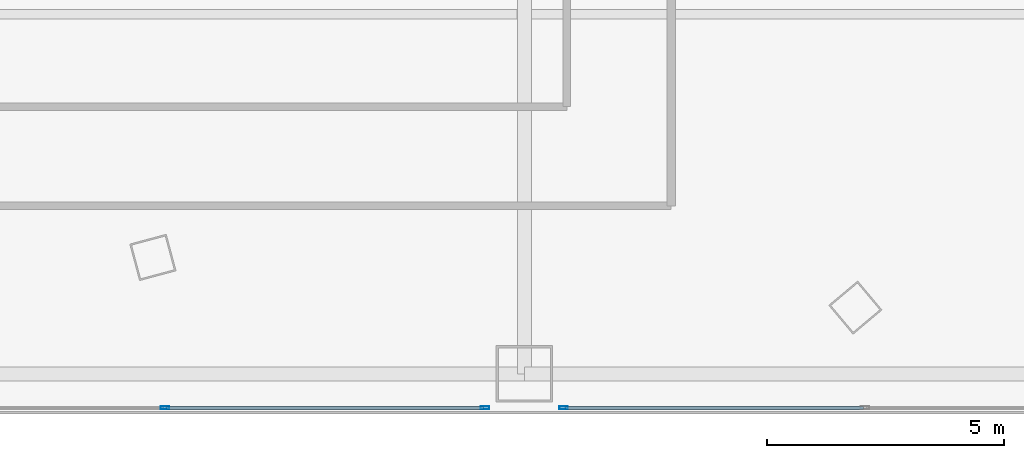
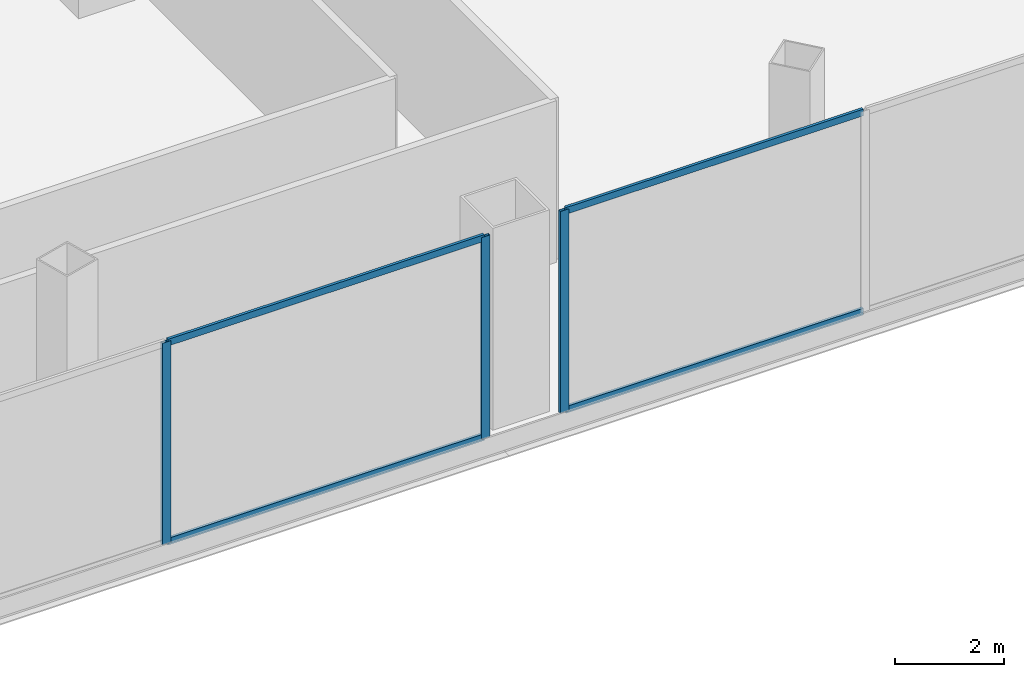
# One storey, part 11 of 40: 7 members, 2 elements without a shape of their own.
"""IFC4 building model written with IfcOpenShell, lengths in metres."""

from ifc_helpers import new_model, si_unit, direction, frame, origin, origin_2d, place, context, subcontext, project, spatial, hollow_rectangle, extrude, source, transform, mapped, material, layer, layer_set, material_profile, profile_set, type_object, element, aggregate, save


model = new_model("IFC4")

# Units and contexts
model_context = context("Model", 3, precision=1e-05, world=origin(), true_north=direction((0.0, 1.0)))
body_context = subcontext(model_context, "Body", "Model", "MODEL_VIEW")
ifc_project = project(units=[si_unit("LENGTHUNIT", "METRE"), si_unit("AREAUNIT", "SQUARE_METRE"), si_unit("VOLUMEUNIT", "CUBIC_METRE"), si_unit("PLANEANGLEUNIT", "RADIAN"), si_unit("MASSUNIT", "GRAM", prefix="KILO"), si_unit("THERMODYNAMICTEMPERATUREUNIT", "KELVIN"), si_unit("POWERUNIT", "WATT")], contexts=[model_context])

# Site, building, storey
site_placement = place(None, origin())
site = spatial("IfcSite", under=ifc_project, at=site_placement, CompositionType="ELEMENT")
building_placement = place(site_placement, origin())
building = spatial("IfcBuilding", under=site, at=building_placement, Name="Yunzhuo Pagoda Commons", CompositionType="ELEMENT")
storey_placement = place(building_placement, frame((0.0, 0.0, 14.39990234375)))
storey = spatial("IfcBuildingStorey", under=building, at=storey_placement, Name="L04", CompositionType="ELEMENT", Elevation=14.39990234375)

# Curtain wall, members
ifc_material = material(Name="Anodized aluminium 6063-T6", Category="aluminium")
ifc_layer = layer(ifc_material, 0.179931640625)
ifc_layer_set = layer_set([ifc_layer], Name="Anodized aluminium 6063-T6")
curtain_wall_type = type_object("IfcCurtainWallType", Name="CW-POD Waterfront Podium Curtain Wall", PredefinedType="NOTDEFINED", material=ifc_layer_set)
curtain_wall_1_placement = place(storey_placement, origin())
curtain_wall_1 = element("IfcCurtainWall", 1, at=curtain_wall_1_placement, inside=storey, type_object=curtain_wall_type, Name="L04 curtain wall CW-L04-S3", PredefinedType="NOTDEFINED")
ifc_material_profile_1 = material_profile(ifc_material, hollow_rectangle(XDim=0.06494140625, YDim=0.179931640625, WallThickness=0.00390625, at=origin_2d()), Name="Anodized aluminium 6063-T6")
ifc_profile_set_1 = profile_set([ifc_material_profile_1], Name="Anodized aluminium 6063-T6")
member_type_1 = type_object("IfcMemberType", Name="CW-POD-M Mullion RHS 180x65x4", PredefinedType="MULLION", material=ifc_profile_set_1)
shared_shape_1 = source(origin(), body_context, "Body", "SweptSolid", [
    extrude(hollow_rectangle(XDim=0.06494140625, YDim=0.179931640625, WallThickness=0.00390625, at=origin_2d()), origin(), (0.0, 0.0, 1.0), 4.52001953125),
])
member_1_placement = place(storey_placement, frame((54.800048828125, 6.080078125, 0.0), z_axis=(0.0, 0.0, 1.0), x_axis=(0.0, 1.0, 0.0)))
member_1 = element("IfcMember", 2, at=member_1_placement, type_object=member_type_1, Name="CW mullion 4", PredefinedType="MULLION", context=body_context, shape_type="MappedRepresentation", body=[
    mapped(shared_shape_1, transform((0.0, 0.0, 0.0), scale=1.0)),
])
member_2_placement = place(storey_placement, frame((61.5673828125, 6.080078125, 0.0), z_axis=(0.0, 0.0, 1.0), x_axis=(0.0, 1.0, 0.0)))
member_2 = element("IfcMember", 3, at=member_2_placement, type_object=member_type_1, Name="CW mullion 5", PredefinedType="MULLION", context=body_context, shape_type="MappedRepresentation", body=[
    mapped(shared_shape_1, transform((0.0, 0.0, 0.0), scale=1.0)),
])

curtain_wall_2_placement = place(storey_placement, origin())
curtain_wall_2 = element("IfcCurtainWall", 4, at=curtain_wall_2_placement, inside=storey, type_object=curtain_wall_type, Name="L04 curtain wall CW-L04-S4", PredefinedType="NOTDEFINED")
member_3_placement = place(storey_placement, frame((63.232421875, 6.080078125, 0.0), z_axis=(0.0, 0.0, 1.0), x_axis=(0.0, 1.0, 0.0)))
member_3 = element("IfcMember", 5, at=member_3_placement, type_object=member_type_1, Name="CW mullion 1", PredefinedType="MULLION", context=body_context, shape_type="MappedRepresentation", body=[
    mapped(shared_shape_1, transform((0.0, 0.0, 0.0), scale=1.0)),
])
ifc_material_profile_2 = material_profile(ifc_material, hollow_rectangle(XDim=0.06005859375, YDim=0.14990234375, WallThickness=0.00390625, at=origin_2d()), Name="Anodized aluminium 6063-T6")
ifc_profile_set_2 = profile_set([ifc_material_profile_2], Name="Anodized aluminium 6063-T6")
member_type_2 = type_object("IfcMemberType", Name="CW-POD-T Transom RHS 150x60x4", PredefinedType="USERDEFINED", material=ifc_profile_set_2)
shared_shape_2 = source(origin(), body_context, "Body", "SweptSolid", [
    extrude(hollow_rectangle(XDim=0.06005859375, YDim=0.14990234375, WallThickness=0.00390625, at=origin_2d()), origin(), (0.0, 0.0, 1.0), 6.302490234375),
])
member_4_placement = place(storey_placement, frame((63.264892578125, 6.080078125, 0.030029296875), z_axis=(1.0, 0.0, 0.0), x_axis=(0.0, 1.0, 0.0)))
member_4 = element("IfcMember", 6, at=member_4_placement, type_object=member_type_2, Name="CW transom 1.1", ObjectType="TRANSOM", PredefinedType="USERDEFINED", context=body_context, shape_type="MappedRepresentation", body=[
    mapped(shared_shape_2, transform((0.0, 0.0, 0.0), scale=1.0)),
])
member_5_placement = place(storey_placement, frame((63.264892578125, 6.080078125, 4.489990234375), z_axis=(1.0, 0.0, 0.0), x_axis=(0.0, 1.0, 0.0)))
member_5 = element("IfcMember", 7, at=member_5_placement, type_object=member_type_2, Name="CW transom 1.2", ObjectType="TRANSOM", PredefinedType="USERDEFINED", context=body_context, shape_type="MappedRepresentation", body=[
    mapped(shared_shape_2, transform((0.0, 0.0, 0.0), scale=1.0)),
])
aggregate(curtain_wall_2, [member_3, member_4, member_5])

# Member
shared_shape_3 = source(origin(), body_context, "Body", "SweptSolid", [
    extrude(hollow_rectangle(XDim=0.06005859375, YDim=0.14990234375, WallThickness=0.00390625, at=origin_2d()), origin(), (0.0, 0.0, 1.0), 6.7021484375),
])
member_6_placement = place(storey_placement, frame((54.832763671875, 6.080078125, 0.030029296875), z_axis=(1.0, 0.0, 0.0), x_axis=(0.0, 1.0, 0.0)))
member_6 = element("IfcMember", 8, at=member_6_placement, type_object=member_type_2, Name="CW transom 4.1", ObjectType="TRANSOM", PredefinedType="USERDEFINED", context=body_context, shape_type="MappedRepresentation", body=[
    mapped(shared_shape_3, transform((0.0, 0.0, 0.0), scale=1.0)),
])

member_7_placement = place(storey_placement, frame((54.832763671875, 6.080078125, 4.489990234375), z_axis=(1.0, 0.0, 0.0), x_axis=(0.0, 1.0, 0.0)))
member_7 = element("IfcMember", 9, at=member_7_placement, type_object=member_type_2, Name="CW transom 4.2", ObjectType="TRANSOM", PredefinedType="USERDEFINED", context=body_context, shape_type="MappedRepresentation", body=[
    mapped(shared_shape_3, transform((0.0, 0.0, 0.0), scale=1.0)),
])

aggregate(curtain_wall_1, [member_1, member_2, member_6, member_7])

save(model, "model.ifc")
